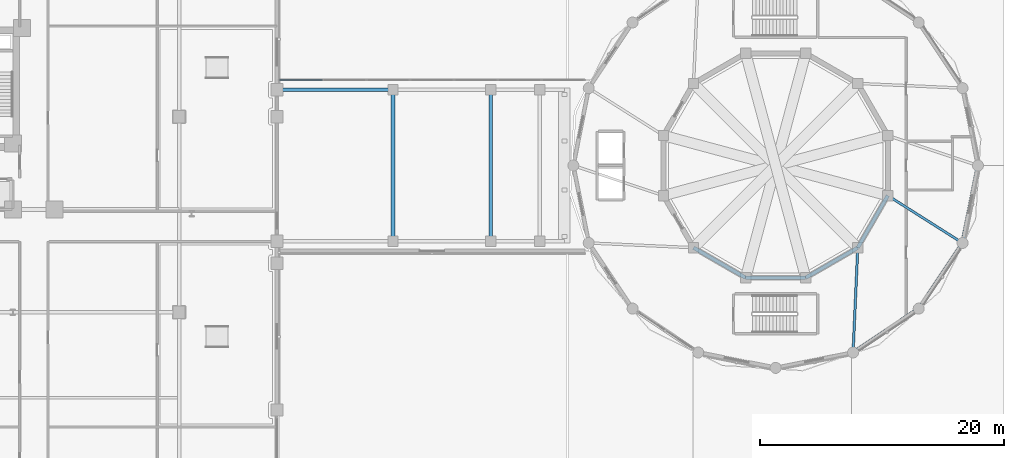
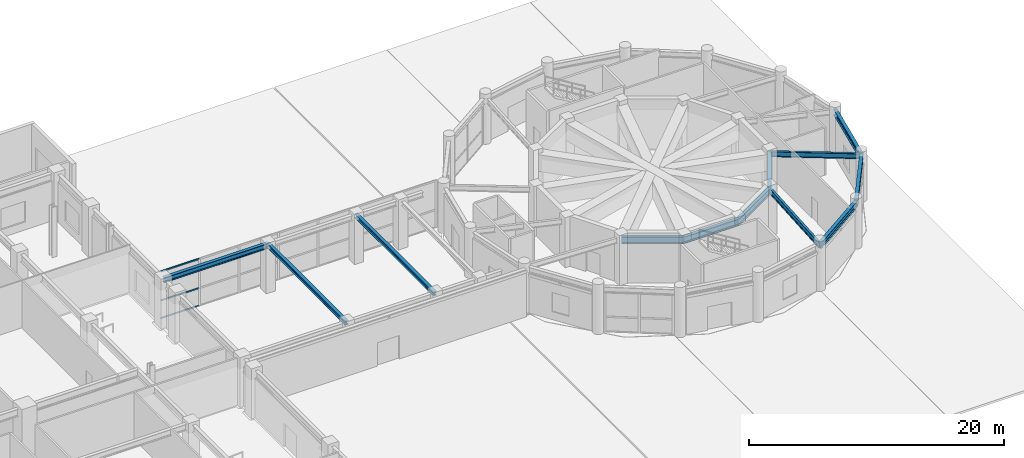
# One storey, part 14 of 40: 12 beams, 3 members, 1 element without a shape of its own.
"""IFC4 building model written with IfcOpenShell, lengths in metres."""

from ifc_helpers import new_model, si_unit, derived_unit, direction, frame, origin, origin_2d, place, context, subcontext, project, spatial, hollow_rectangle, i_section, extrude, source, transform, mapped, material, layer, layer_set, material_profile, profile_set, type_object, element, aggregate, save


model = new_model("IFC4")

# Units and contexts
model_context = context("Model", 3, precision=1e-05, world=origin(), true_north=direction((0.0, 1.0)))
body_context = subcontext(model_context, "Body", "Model", "MODEL_VIEW")
ifc_project = project(units=[si_unit("LENGTHUNIT", "METRE"), si_unit("AREAUNIT", "SQUARE_METRE"), si_unit("VOLUMEUNIT", "CUBIC_METRE"), si_unit("PLANEANGLEUNIT", "RADIAN"), si_unit("MASSUNIT", "GRAM", prefix="KILO"), derived_unit("THERMALTRANSMITTANCEUNIT", [(si_unit("POWERUNIT", "WATT"), 1), (si_unit("LENGTHUNIT", "METRE"), -2), (si_unit("THERMODYNAMICTEMPERATUREUNIT", "KELVIN"), -1)])], contexts=[model_context])

# Site, building, storey
site_placement = place(None, origin())
site = spatial("IfcSite", under=ifc_project, at=site_placement, CompositionType="ELEMENT")
building_placement = place(site_placement, origin())
building = spatial("IfcBuilding", under=site, at=building_placement, Name="Korsvarv Bourse and Concert Hall", CompositionType="ELEMENT")
storey_placement = place(building_placement, origin())
storey = spatial("IfcBuildingStorey", under=building, at=storey_placement, Name="L00", CompositionType="ELEMENT", Elevation=0.0)

# Beams
ifc_material_1 = material(Name="Steel S355", Category="steel")
ifc_material_profile_1 = material_profile(ifc_material_1, i_section(OverallWidth=0.300048828125, OverallDepth=0.489990234375, WebThickness=0.011962890625, FlangeThickness=0.02294921875, FilletRadius=0.02392578125, at=origin_2d()), Name="HEA 500")
ifc_profile_set_1 = profile_set([ifc_material_profile_1], Name="Steel S355")
beam_type_1 = type_object("IfcBeamType", Name="BM-HEA500", PredefinedType="BEAM", material=ifc_profile_set_1)
shared_shape_1 = source(origin(), body_context, "Body", "SweptSolid", [
    extrude(i_section(OverallWidth=0.300048828125, OverallDepth=0.489990234375, WebThickness=0.011962890625, FlangeThickness=0.02294921875, FilletRadius=0.02392578125, at=origin_2d()), origin(), (0.0, 0.0, 1.0), 9.5),
])
beam_1_placement = place(storey_placement, frame((66.0, 42.199951171875, 4.294921875), z_axis=(1.0, 0.0, 0.0), x_axis=(0.0, 1.0, 0.0)))
element("IfcBeam", 1, at=beam_1_placement, inside=storey, type_object=beam_type_1, Name="L00 beam B-10", PredefinedType="BEAM", context=body_context, shape_type="MappedRepresentation", body=[
    mapped(shared_shape_1, transform((0.0, 0.0, 0.0), scale=1.0)),
])
ifc_material_profile_2 = material_profile(ifc_material_1, i_section(OverallWidth=0.300048828125, OverallDepth=0.389892578125, WebThickness=0.010986328125, FlangeThickness=0.01904296875, FilletRadius=0.02099609375, at=origin_2d()), Name="HEA 400")
ifc_profile_set_2 = profile_set([ifc_material_profile_2], Name="Steel S355")
beam_type_2 = type_object("IfcBeamType", Name="BM-HEA400", PredefinedType="BEAM", material=ifc_profile_set_2)
shared_shape_2 = source(origin(), body_context, "Body", "SweptSolid", [
    extrude(i_section(OverallWidth=0.300048828125, OverallDepth=0.389892578125, WebThickness=0.010986328125, FlangeThickness=0.01904296875, FilletRadius=0.02099609375, at=origin_2d()), origin(), (0.0, 0.0, 1.0), 12.39990234375),
])
for number, where, z_axis, x_axis, name in (
    (2, (75.5, 29.800048828125, 4.344970703125), (0.0, 1.0, 0.0), (-1.0, 0.0, 0.0), "L00 beam B-11"),
    (3, (83.5, 29.800048828125, 4.344970703125), (0.0, 1.0, 0.0), (-1.0, 0.0, 0.0), "L00 beam B-11"),
):
    element("IfcBeam", number, at=place(storey_placement, frame(where, z_axis=z_axis, x_axis=x_axis)), inside=storey, type_object=beam_type_2, Name=name, PredefinedType="BEAM", context=body_context, shape_type="MappedRepresentation", body=[
        mapped(shared_shape_2, transform((0.0, 0.0, 0.0), scale=1.0)),
    ])
ifc_material_profile_3 = material_profile(ifc_material_1, i_section(OverallWidth=0.300048828125, OverallDepth=0.550048828125, WebThickness=0.014892578125, FlangeThickness=0.029052734375, FilletRadius=0.02392578125, at=origin_2d()), Name="HEB 550")
ifc_profile_set_3 = profile_set([ifc_material_profile_3], Name="Steel S355")
beam_type_3 = type_object("IfcBeamType", Name="BM-HEB550", PredefinedType="BEAM", material=ifc_profile_set_3)
shared_shape_3 = source(origin(), body_context, "Body", "SweptSolid", [
    extrude(i_section(OverallWidth=0.300048828125, OverallDepth=0.550048828125, WebThickness=0.014892578125, FlangeThickness=0.029052734375, FilletRadius=0.02392578125, at=origin_2d()), origin(), (0.0, 0.0, 1.0), 6.45751953125),
])
beam_2_placement = place(storey_placement, frame((122.090087890625, 29.66650390625, 4.10498046875), z_axis=(0.195119974887, 0.980779381615, 0.0), x_axis=(-0.980779381615, 0.195119974887, 0.0)))
element("IfcBeam", 4, at=beam_2_placement, inside=storey, type_object=beam_type_3, Name="L00 beam B-06", PredefinedType="BEAM", context=body_context, shape_type="MappedRepresentation", body=[
    mapped(shared_shape_3, transform((0.0, 0.0, 0.0), scale=1.0)),
])
shared_shape_4 = source(origin(), body_context, "Body", "SweptSolid", [
    extrude(i_section(OverallWidth=0.300048828125, OverallDepth=0.550048828125, WebThickness=0.014892578125, FlangeThickness=0.029052734375, FilletRadius=0.02392578125, at=origin_2d()), origin(), (0.0, 0.0, 1.0), 6.457275390625),
])
beam_3_placement = place(storey_placement, frame((118.502685546875, 24.29736328125, 4.10498046875), z_axis=(0.555554952257, 0.831479822379, 0.0), x_axis=(-0.831479822379, 0.555554952257, 0.0)))
element("IfcBeam", 5, at=beam_3_placement, inside=storey, type_object=beam_type_3, Name="L00 beam B-06", PredefinedType="BEAM", context=body_context, shape_type="MappedRepresentation", body=[
    mapped(shared_shape_4, transform((0.0, 0.0, 0.0), scale=1.0)),
])
shared_shape_5 = source(origin(), body_context, "Body", "SweptSolid", [
    extrude(i_section(OverallWidth=0.300048828125, OverallDepth=0.550048828125, WebThickness=0.014892578125, FlangeThickness=0.029052734375, FilletRadius=0.02392578125, at=origin_2d()), origin(), (0.0, 0.0, 1.0), 6.457763671875),
])
beam_4_placement = place(storey_placement, frame((113.13330078125, 20.709716796875, 4.10498046875), z_axis=(0.831474026951, 0.555563625974, 0.0), x_axis=(-0.555563625974, 0.831474026951, 0.0)))
element("IfcBeam", 6, at=beam_4_placement, inside=storey, type_object=beam_type_3, Name="L00 beam B-06", PredefinedType="BEAM", context=body_context, shape_type="MappedRepresentation", body=[
    mapped(shared_shape_5, transform((0.0, 0.0, 0.0), scale=1.0)),
])
ifc_material_profile_4 = material_profile(ifc_material_1, i_section(OverallWidth=0.300048828125, OverallDepth=0.64990234375, WebThickness=0.01611328125, FlangeThickness=0.031005859375, FilletRadius=0.027099609375, at=origin_2d()), Name="HEB 650")
ifc_profile_set_4 = profile_set([ifc_material_profile_4], Name="Steel S355")
beam_type_4 = type_object("IfcBeamType", Name="BM-HEB650", PredefinedType="BEAM", material=ifc_profile_set_4)
shared_shape_6 = source(origin(), body_context, "Body", "SweptSolid", [
    extrude(i_section(OverallWidth=0.300048828125, OverallDepth=0.64990234375, WebThickness=0.01611328125, FlangeThickness=0.031005859375, FilletRadius=0.027099609375, at=origin_2d()), origin(), (0.0, 0.0, 1.0), 4.91748046875),
])
for number, where, z_axis, x_axis, name in (
    (7, (100.08251953125, 29.282470703125, 4.054931640625), (0.866031812033, -0.499988900423, 0.0), (0.499988900423, 0.866031812033, 0.0), "L00 beam B-04"),
    (8, (104.34130859375, 26.82373046875, 4.054931640625), (1.0, 0.0, 0.0), (0.0, 1.0, 0.0), "L00 beam B-04"),
    (9, (109.2587890625, 26.82373046875, 4.054931640625), (0.866031812033, 0.499988900423, 0.0), (-0.499988900423, 0.866031812033, 0.0), "L00 beam B-04"),
    (10, (113.517578125, 29.282470703125, 4.054931640625), (0.499988900423, 0.866031812033, 0.0), (-0.866031812033, 0.499988900423, 0.0), "L00 beam B-04"),
):
    element("IfcBeam", number, at=place(storey_placement, frame(where, z_axis=z_axis, x_axis=x_axis)), inside=storey, type_object=beam_type_4, Name=name, PredefinedType="BEAM", context=body_context, shape_type="MappedRepresentation", body=[
        mapped(shared_shape_6, transform((0.0, 0.0, 0.0), scale=1.0)),
    ])
ifc_material_profile_5 = material_profile(ifc_material_1, i_section(OverallWidth=0.199951171875, OverallDepth=0.5, WebThickness=0.01025390625, FlangeThickness=0.01611328125, FilletRadius=0.02099609375, at=origin_2d()), Name="IPE 500")
ifc_profile_set_5 = profile_set([ifc_material_profile_5], Name="Steel S355")
beam_type_5 = type_object("IfcBeamType", Name="BM-IPE500", PredefinedType="JOIST", material=ifc_profile_set_5)
shared_shape_7 = source(origin(), body_context, "Body", "SweptSolid", [
    extrude(i_section(OverallWidth=0.199951171875, OverallDepth=0.5, WebThickness=0.01025390625, FlangeThickness=0.01611328125, FilletRadius=0.02099609375, at=origin_2d()), origin(), (0.0, 0.0, 1.0), 8.581298828125),
])
beam_5_placement = place(storey_placement, frame((113.517578125, 29.282470703125, 4.1298828125), z_axis=(-0.044780459224, -0.998996852083, 0.0), x_axis=(0.998996852083, -0.044780459224, 0.0)))
element("IfcBeam", 11, at=beam_5_placement, inside=storey, type_object=beam_type_5, Name="L00 beam J-03", PredefinedType="JOIST", context=body_context, shape_type="MappedRepresentation", body=[
    mapped(shared_shape_7, transform((0.0, 0.0, 0.0), scale=1.0)),
])
shared_shape_8 = source(origin(), body_context, "Body", "SweptSolid", [
    extrude(i_section(OverallWidth=0.199951171875, OverallDepth=0.5, WebThickness=0.01025390625, FlangeThickness=0.01611328125, FilletRadius=0.02099609375, at=origin_2d()), origin(), (0.0, 0.0, 1.0), 7.23828125),
])
beam_6_placement = place(storey_placement, frame((115.976318359375, 33.541259765625, 4.1298828125), z_axis=(0.844650306569, -0.5353184656, 0.0), x_axis=(0.5353184656, 0.844650306569, 0.0)))
element("IfcBeam", 12, at=beam_6_placement, inside=storey, type_object=beam_type_5, Name="L00 beam J-03", PredefinedType="JOIST", context=body_context, shape_type="MappedRepresentation", body=[
    mapped(shared_shape_8, transform((0.0, 0.0, 0.0), scale=1.0)),
])

# Curtain wall, members
ifc_material_2 = material(Name="Anodised aluminium and triple low-E glazing", Category="glass")
ifc_layer = layer(ifc_material_2, 0.239990234375)
ifc_layer_set = layer_set([ifc_layer], Name="Anodised aluminium and triple low-E glazing")
curtain_wall_type = type_object("IfcCurtainWallType", Name="CW-SYS-5", PredefinedType="NOTDEFINED", material=ifc_layer_set)
curtain_wall_placement = place(storey_placement, origin())
curtain_wall = element("IfcCurtainWall", 13, at=curtain_wall_placement, inside=storey, type_object=curtain_wall_type, Name="L00 CW5 curtain wall CW-L00-LKN", PredefinedType="NOTDEFINED")
ifc_material_3 = material(Name="Extruded aluminium EN AW-6063 T66", Category="aluminium")
ifc_material_profile_6 = material_profile(ifc_material_3, hollow_rectangle(XDim=0.06494140625, YDim=0.139892578125, WallThickness=0.00390625, at=origin_2d()), Name="ALU-T 65x140")
ifc_profile_set_6 = profile_set([ifc_material_profile_6], Name="Extruded aluminium EN AW-6063 T66")
member_type = type_object("IfcMemberType", Name="CWT-140", PredefinedType="USERDEFINED", material=ifc_profile_set_6)
shared_shape_9 = source(origin(), body_context, "Body", "SweptSolid", [
    extrude(hollow_rectangle(XDim=0.06494140625, YDim=0.139892578125, WallThickness=0.00390625, at=origin_2d()), origin(), (0.0, 0.0, 1.0), 3.47509765625),
])
member_1_placement = place(storey_placement, frame((66.22998046875, 43.0, 0.032470703125), z_axis=(1.0, 0.0, 0.0), x_axis=(0.0, 1.0, 0.0)))
member_1 = element("IfcMember", 14, at=member_1_placement, type_object=member_type, Name="CW5 transom 1.1", ObjectType="TRANSOM", PredefinedType="USERDEFINED", context=body_context, shape_type="MappedRepresentation", body=[
    mapped(shared_shape_9, transform((0.0, 0.0, 0.0), scale=1.0)),
])
member_2_placement = place(storey_placement, frame((66.22998046875, 43.0, 1.72509765625), z_axis=(1.0, 0.0, 0.0), x_axis=(0.0, 1.0, 0.0)))
member_2 = element("IfcMember", 15, at=member_2_placement, type_object=member_type, Name="CW5 transom 1.2", ObjectType="TRANSOM", PredefinedType="USERDEFINED", context=body_context, shape_type="MappedRepresentation", body=[
    mapped(shared_shape_9, transform((0.0, 0.0, 0.0), scale=1.0)),
])
member_3_placement = place(storey_placement, frame((66.22998046875, 43.0, 4.507568359375), z_axis=(1.0, 0.0, 0.0), x_axis=(0.0, 1.0, 0.0)))
member_3 = element("IfcMember", 16, at=member_3_placement, type_object=member_type, Name="CW5 transom 1.3", ObjectType="TRANSOM", PredefinedType="USERDEFINED", context=body_context, shape_type="MappedRepresentation", body=[
    mapped(shared_shape_9, transform((0.0, 0.0, 0.0), scale=1.0)),
])
aggregate(curtain_wall, [member_1, member_2, member_3])

save(model, "model.ifc")
